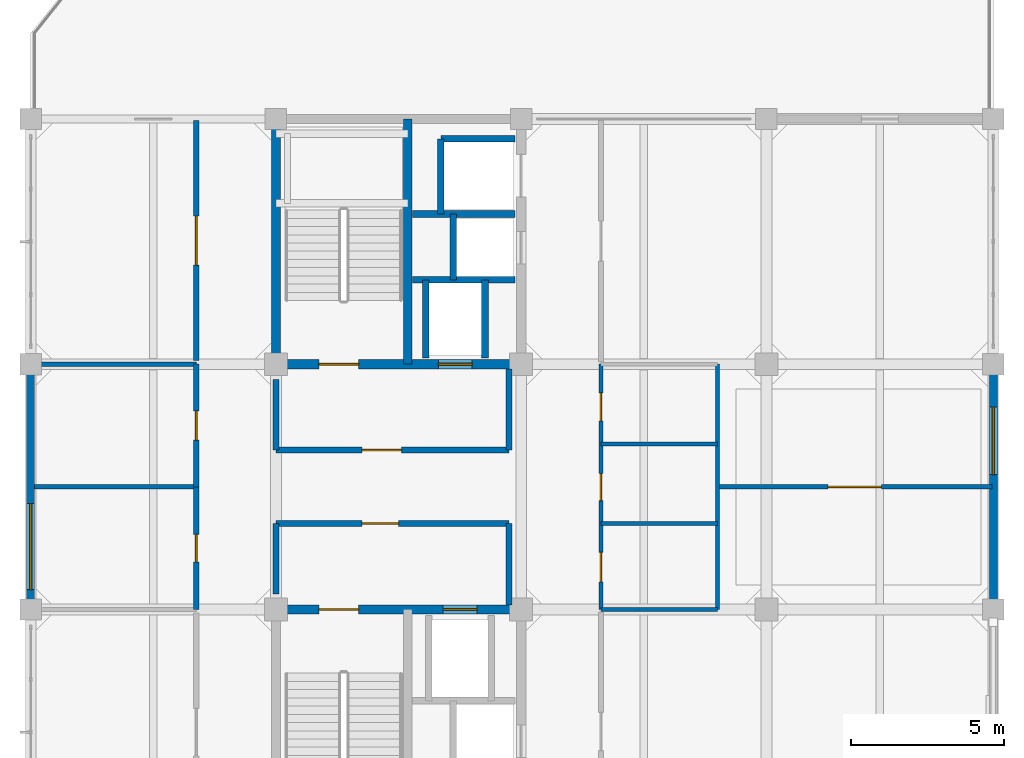
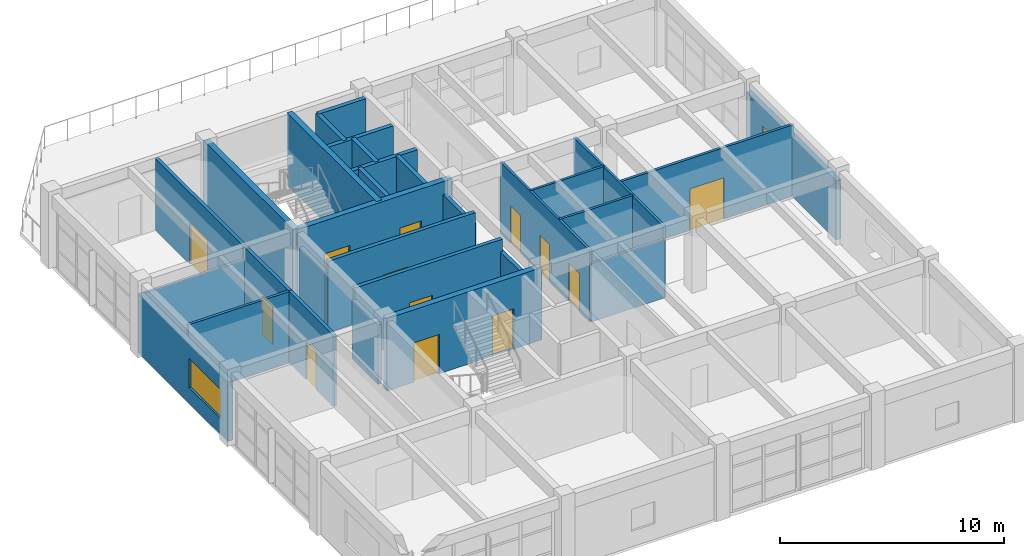
# One storey, part 15 of 19: 30 walls, 13 doors, 2 windows, 15 openings.
"""IFC4 building model written with IfcOpenShell, lengths in metres."""

from ifc_helpers import new_model, si_unit, direction, frame, frame_2d, origin, place, context, subcontext, project, spatial, rectangle, extrude, material, layer, layer_set, type_object, element, fill, save


model = new_model("IFC4")

# Units and contexts
model_context = context("Model", 3, precision=1e-05, world=origin(), true_north=direction((0.0, 1.0)))
body_context = subcontext(model_context, "Body", "Model", "MODEL_VIEW")
ifc_project = project(units=[si_unit("LENGTHUNIT", "METRE"), si_unit("AREAUNIT", "SQUARE_METRE"), si_unit("VOLUMEUNIT", "CUBIC_METRE"), si_unit("PLANEANGLEUNIT", "RADIAN"), si_unit("MASSUNIT", "GRAM", prefix="KILO")], contexts=[model_context])

# Site, building, storey
site_placement = place(None, origin())
site = spatial("IfcSite", under=ifc_project, at=site_placement, CompositionType="ELEMENT")
building_placement = place(site_placement, origin())
building = spatial("IfcBuilding", under=site, at=building_placement, Name="Canggui Botanical Conservatory", CompositionType="ELEMENT")
storey_placement = place(building_placement, frame((0.0, 0.0, 48.60009765625)))
storey = spatial("IfcBuildingStorey", under=building, at=storey_placement, Name="L12", CompositionType="ELEMENT", Elevation=48.60009765625)

# Wall, opening, window
ifc_material_1 = material(Name="Precast Concrete C40", Category="concrete")
ifc_layer_1 = layer(ifc_material_1, 0.260009765625, Name="Precast Concrete C40", Category="concrete")
ifc_layer_set_1 = layer_set([ifc_layer_1], Name="Precast Concrete C40")
wall_type_1 = type_object("IfcWallType", Name="EW-260", PredefinedType="STANDARD", material=ifc_layer_set_1)
wall_1_placement = place(storey_placement, frame((146.0, 50.0, 0.0), z_axis=(0.0, 0.0, 1.0), x_axis=(0.0, 1.0, 0.0)))
wall_1 = element("IfcWall", 1, at=wall_1_placement, inside=storey, type_object=wall_type_1, Name="Tower Insulated Exterior Wall L12-W7", PredefinedType="STANDARD", context=body_context, shape_type="SweptSolid", body=[
    extrude(rectangle(XDim=8.0, YDim=0.260009765625, at=frame_2d((4.0, 0.0))), origin(), (0.0, 0.0, 1.0), 3.239990234375),
])
opening_1_placement = place(wall_1_placement, frame((0.64990234375, 0.0, 0.85009765625)))
opening_1 = element("IfcOpeningElement", 2, at=opening_1_placement, cuts=wall_1, Name="Opening W-08", PredefinedType="OPENING", context=body_context, shape_type="SweptSolid", body=[
    extrude(rectangle(XDim=2.800048828125, YDim=1.60009765625, at=frame_2d((1.39990234375, 0.800048828125))), frame((0.0, 0.14013671875, 0.0), z_axis=(0.0, -1.0, 0.0), x_axis=(1.0, 0.0, 0.0)), (0.0, 0.0, 1.0), 0.280029296875),
])
ifc_material_2 = material(Name="Low-E Insulated Glass", Category="glass")
window_type_1 = type_object("IfcWindowType", Name="WIN-08", PartitioningType="TRIPLE_PANEL_VERTICAL", PredefinedType="WINDOW", material=ifc_material_2)
window_1_placement = place(opening_1_placement, origin())
window_1 = element("IfcWindow", 3, at=window_1_placement, inside=storey, type_object=window_type_1, Name="Tower Window L12-7", OverallHeight=1.60009765625, OverallWidth=2.800048828125, PartitioningType="SINGLE_PANEL", PredefinedType="WINDOW", context=body_context, shape_type="SweptSolid", body=[
    extrude(rectangle(XDim=2.800048828125, YDim=1.60009765625, at=frame_2d((1.39990234375, 0.800048828125))), frame((0.0, 0.030029296875, 0.0), z_axis=(0.0, -1.0, 0.0), x_axis=(1.0, 0.0, 0.0)), (0.0, 0.0, 1.0), 0.06005859375),
])
fill(opening_1, window_1)

wall_2_placement = place(storey_placement, frame((177.39990234375, 58.0, 0.0), z_axis=(0.0, 0.0, 1.0), x_axis=(0.0, -1.0, 0.0)))
wall_2 = element("IfcWall", 4, at=wall_2_placement, inside=storey, type_object=wall_type_1, Name="Tower Insulated Exterior Wall L12-E13", PredefinedType="STANDARD", context=body_context, shape_type="SweptSolid", body=[
    extrude(rectangle(XDim=8.0, YDim=0.260009765625, at=frame_2d((4.0, 0.0))), origin(), (0.0, 0.0, 1.0), 3.239990234375),
])
opening_2_placement = place(wall_2_placement, frame((1.39990234375, 0.0, 0.85009765625)))
opening_2 = element("IfcOpeningElement", 5, at=opening_2_placement, cuts=wall_2, Name="Opening W-10", PredefinedType="OPENING", context=body_context, shape_type="SweptSolid", body=[
    extrude(rectangle(XDim=2.199951171875, YDim=1.39990234375, at=frame_2d((1.10009765625, 0.699951171875))), frame((0.0, 0.14013671875, 0.0), z_axis=(0.0, -1.0, 0.0), x_axis=(1.0, 0.0, 0.0)), (0.0, 0.0, 1.0), 0.280029296875),
])
window_type_2 = type_object("IfcWindowType", Name="WIN-10", PartitioningType="DOUBLE_PANEL_VERTICAL", PredefinedType="WINDOW", material=ifc_material_2)
window_2_placement = place(opening_2_placement, origin())
window_2 = element("IfcWindow", 6, at=window_2_placement, inside=storey, type_object=window_type_2, Name="Tower Window L12-13", OverallHeight=1.39990234375, OverallWidth=2.199951171875, PartitioningType="SINGLE_PANEL", PredefinedType="WINDOW", context=body_context, shape_type="SweptSolid", body=[
    extrude(rectangle(XDim=2.199951171875, YDim=1.39990234375, at=frame_2d((1.10009765625, 0.699951171875))), frame((0.0, 0.030029296875, 0.0), z_axis=(0.0, -1.0, 0.0), x_axis=(1.0, 0.0, 0.0)), (0.0, 0.0, 1.0), 0.06005859375),
])
fill(opening_2, window_2)

# Wall, opening, door
ifc_material_3 = material(Name="Gypsum Plasterboard Partition")
ifc_layer_2 = layer(ifc_material_3, 0.175048828125, Name="Gypsum Plasterboard Partition")
ifc_layer_set_2 = layer_set([ifc_layer_2], Name="Gypsum Plasterboard Partition")
wall_type_2 = type_object("IfcWallType", Name="IW-CORR-175", PredefinedType="STANDARD", material=ifc_layer_set_2)
wall_3_placement = place(storey_placement, frame((151.39990234375, 58.1201171875, 0.0), z_axis=(0.0, 0.0, 1.0), x_axis=(0.0, 1.0, 0.0)))
wall_3 = element("IfcWall", 7, at=wall_3_placement, inside=storey, type_object=wall_type_2, Name="L12 Laminar Flow Transfer Airlock Corridor Wall", PredefinedType="STANDARD", context=body_context, shape_type="SweptSolid", body=[
    extrude(rectangle(XDim=7.829833984375, YDim=0.175048828125, at=frame_2d((3.9150390625, 0.0))), origin(), (0.0, 0.0, 1.0), 3.89990234375),
])
opening_3_placement = place(wall_3_placement, frame((3.114990234375, 0.0, 0.0)))
opening_3 = element("IfcOpeningElement", 8, at=opening_3_placement, cuts=wall_3, Name="Opening FD-15", PredefinedType="OPENING", context=body_context, shape_type="SweptSolid", body=[
    extrude(rectangle(XDim=1.60009765625, YDim=2.25, at=frame_2d((0.800048828125, 1.125))), frame((0.0, 0.09765625, 0.0), z_axis=(0.0, -1.0, 0.0), x_axis=(1.0, 0.0, 0.0)), (0.0, 0.0, 1.0), 0.195068359375),
])
ifc_material_4 = material(Name="Powder-Coated Steel", Category="steel")
door_type_1 = type_object("IfcDoorType", Name="FD-15", OperationType="NOTDEFINED", PredefinedType="DOOR", material=ifc_material_4)
door_1_placement = place(opening_3_placement, origin())
door_1 = element("IfcDoor", 9, at=door_1_placement, inside=storey, type_object=door_type_1, Name="L12 Laminar Flow Transfer Airlock Entrance Door", OperationType="DOUBLE_DOOR_SINGLE_SWING", OverallHeight=2.25, OverallWidth=1.60009765625, PredefinedType="DOOR", context=body_context, shape_type="SweptSolid", body=[
    extrude(rectangle(XDim=1.60009765625, YDim=2.25, at=frame_2d((0.800048828125, 1.125))), frame((0.0, 0.02490234375, 0.0), z_axis=(0.0, -1.0, 0.0), x_axis=(1.0, 0.0, 0.0)), (0.0, 0.0, 1.0), 0.050048828125),
])
fill(opening_3, door_1)

wall_4_placement = place(storey_placement, frame((151.39990234375, 50.0, 0.0), z_axis=(0.0, 0.0, 1.0), x_axis=(0.0, 1.0, 0.0)))
wall_4 = element("IfcWall", 10, at=wall_4_placement, inside=storey, type_object=wall_type_2, Name="L12 Cleaners' Store Wall", PredefinedType="STANDARD", context=body_context, shape_type="SweptSolid", body=[
    extrude(rectangle(XDim=4.0, YDim=0.175048828125, at=frame_2d((2.0, 0.0))), origin(), (0.0, 0.0, 1.0), 3.89990234375),
])
opening_4_placement = place(wall_4_placement, frame((1.550048828125, 0.0, 0.0)))
opening_4 = element("IfcOpeningElement", 11, at=opening_4_placement, cuts=wall_4, Name="Opening FD-01", PredefinedType="OPENING", context=body_context, shape_type="SweptSolid", body=[
    extrude(rectangle(XDim=0.89990234375, YDim=2.10009765625, at=frame_2d((0.449951171875, 1.050048828125))), frame((0.0, 0.09765625, 0.0), z_axis=(0.0, -1.0, 0.0), x_axis=(1.0, 0.0, 0.0)), (0.0, 0.0, 1.0), 0.195068359375),
])
door_type_2 = type_object("IfcDoorType", Name="FD-01", OperationType="NOTDEFINED", PredefinedType="DOOR", material=ifc_material_4)
door_2_placement = place(opening_4_placement, origin())
door_2 = element("IfcDoor", 12, at=door_2_placement, inside=storey, type_object=door_type_2, Name="Interior Door IW-L12-STRW1", OperationType="SINGLE_SWING_LEFT", OverallHeight=2.10009765625, OverallWidth=0.89990234375, PredefinedType="DOOR", context=body_context, shape_type="SweptSolid", body=[
    extrude(rectangle(XDim=0.89990234375, YDim=2.10009765625, at=frame_2d((0.449951171875, 1.050048828125))), frame((0.0, 0.02490234375, 0.0), z_axis=(0.0, -1.0, 0.0), x_axis=(1.0, 0.0, 0.0)), (0.0, 0.0, 1.0), 0.050048828125),
])
fill(opening_4, door_2)

wall_5_placement = place(storey_placement, frame((151.39990234375, 54.0, 0.0), z_axis=(0.0, 0.0, 1.0), x_axis=(0.0, 1.0, 0.0)))
wall_5 = element("IfcWall", 13, at=wall_5_placement, inside=storey, type_object=wall_type_2, Name="L12 Consumables Store Wall", PredefinedType="STANDARD", context=body_context, shape_type="SweptSolid", body=[
    extrude(rectangle(XDim=4.0, YDim=0.175048828125, at=frame_2d((2.0, 0.0))), origin(), (0.0, 0.0, 1.0), 3.89990234375),
])
opening_5_placement = place(wall_5_placement, frame((1.52490234375, 0.0, 0.0)))
opening_5 = element("IfcOpeningElement", 14, at=opening_5_placement, cuts=wall_5, Name="Opening FD-02", PredefinedType="OPENING", context=body_context, shape_type="SweptSolid", body=[
    extrude(rectangle(XDim=0.949951171875, YDim=2.10009765625, at=frame_2d((0.47509765625, 1.050048828125))), frame((0.0, 0.09765625, 0.0), z_axis=(0.0, -1.0, 0.0), x_axis=(1.0, 0.0, 0.0)), (0.0, 0.0, 1.0), 0.195068359375),
])
door_type_3 = type_object("IfcDoorType", Name="FD-02", OperationType="NOTDEFINED", PredefinedType="DOOR", material=ifc_material_4)
door_3_placement = place(opening_5_placement, origin())
door_3 = element("IfcDoor", 15, at=door_3_placement, inside=storey, type_object=door_type_3, Name="Interior Door IW-L12-STRW2", OperationType="SINGLE_SWING_RIGHT", OverallHeight=2.10009765625, OverallWidth=0.949951171875, PredefinedType="DOOR", context=body_context, shape_type="SweptSolid", body=[
    extrude(rectangle(XDim=0.949951171875, YDim=2.10009765625, at=frame_2d((0.47509765625, 1.050048828125))), frame((0.0, 0.02490234375, 0.0), z_axis=(0.0, -1.0, 0.0), x_axis=(1.0, 0.0, 0.0)), (0.0, 0.0, 1.0), 0.050048828125),
])
fill(opening_5, door_3)

ifc_material_5 = material(Name="Concrete C35", Category="concrete")
ifc_layer_3 = layer(ifc_material_5, 0.195068359375, Name="Concrete C35", Category="concrete")
ifc_layer_set_3 = layer_set([ifc_layer_3], Name="Concrete C35")
wall_type_3 = type_object("IfcWallType", Name="IW-LOBBY-195", PredefinedType="STANDARD", material=ifc_layer_set_3)
wall_6_placement = place(storey_placement, frame((154.0, 52.800048828125, 0.0), z_axis=(0.0, 0.0, 1.0), x_axis=(1.0, 0.0, 0.0)))
wall_6 = element("IfcWall", 16, at=wall_6_placement, inside=storey, type_object=wall_type_3, Name="L12 South Firefighting Lift Lobby North Wall", PredefinedType="STANDARD", context=body_context, shape_type="SweptSolid", body=[
    extrude(rectangle(XDim=7.60009765625, YDim=0.195068359375, at=frame_2d((3.800048828125, 0.0))), origin(), (0.0, 0.0, 1.0), 3.89990234375),
])
opening_6_placement = place(wall_6_placement, frame((2.800048828125, 0.0, 0.0)))
opening_6 = element("IfcOpeningElement", 17, at=opening_6_placement, cuts=wall_6, Name="Opening FD-07", PredefinedType="OPENING", context=body_context, shape_type="SweptSolid", body=[
    extrude(rectangle(XDim=1.199951171875, YDim=2.10009765625, at=frame_2d((0.60009765625, 1.050048828125))), frame((0.0, 0.107421875, 0.0), z_axis=(0.0, -1.0, 0.0), x_axis=(1.0, 0.0, 0.0)), (0.0, 0.0, 1.0), 0.215087890625),
])
door_type_4 = type_object("IfcDoorType", Name="FD-07", OperationType="NOTDEFINED", PredefinedType="DOOR", material=ifc_material_4)
door_4_placement = place(opening_6_placement, origin())
door_4 = element("IfcDoor", 18, at=door_4_placement, inside=storey, type_object=door_type_4, Name="L12 South Firefighting Lobby Fire Door", OperationType="SINGLE_SWING_LEFT", OverallHeight=2.10009765625, OverallWidth=1.199951171875, PredefinedType="DOOR", context=body_context, shape_type="SweptSolid", body=[
    extrude(rectangle(XDim=1.199951171875, YDim=2.10009765625, at=frame_2d((0.60009765625, 1.050048828125))), frame((0.0, 0.02490234375, 0.0), z_axis=(0.0, -1.0, 0.0), x_axis=(1.0, 0.0, 0.0)), (0.0, 0.0, 1.0), 0.050048828125),
])
fill(opening_6, door_4)

# Walls
wall_7_placement = place(storey_placement, frame((161.60009765625, 50.14990234375, 0.0), z_axis=(0.0, 0.0, 1.0), x_axis=(0.0, 1.0, 0.0)))
element("IfcWall", 19, at=wall_7_placement, inside=storey, type_object=wall_type_3, Name="L12 South Firefighting Lift Lobby East Wall", PredefinedType="STANDARD", context=body_context, shape_type="SweptSolid", body=[
    extrude(rectangle(XDim=2.650146484375, YDim=0.195068359375, at=frame_2d((1.3251953125, 0.0))), origin(), (0.0, 0.0, 1.0), 3.239990234375),
])
wall_8_placement = place(storey_placement, frame((154.0, 50.5, 0.0), z_axis=(0.0, 0.0, 1.0), x_axis=(0.0, 1.0, 0.0)))
element("IfcWall", 20, at=wall_8_placement, inside=storey, type_object=wall_type_3, Name="L12 South Firefighting Lift Lobby West Wall", PredefinedType="STANDARD", context=body_context, shape_type="SweptSolid", body=[
    extrude(rectangle(XDim=2.300048828125, YDim=0.195068359375, at=frame_2d((1.14990234375, 0.0))), origin(), (0.0, 0.0, 1.0), 3.239990234375),
])

# Wall, opening, door
wall_9_placement = place(storey_placement, frame((154.0, 55.199951171875, 0.0), z_axis=(0.0, 0.0, 1.0), x_axis=(1.0, 0.0, 0.0)))
wall_9 = element("IfcWall", 21, at=wall_9_placement, inside=storey, type_object=wall_type_3, Name="L12 North Firefighting Lift Lobby South Wall", PredefinedType="STANDARD", context=body_context, shape_type="SweptSolid", body=[
    extrude(rectangle(XDim=7.60009765625, YDim=0.195068359375, at=frame_2d((3.800048828125, 0.0))), origin(), (0.0, 0.0, 1.0), 3.89990234375),
])
opening_7_placement = place(wall_9_placement, frame((2.800048828125, 0.0, 0.0)))
opening_7 = element("IfcOpeningElement", 22, at=opening_7_placement, cuts=wall_9, Name="Opening FD-09", PredefinedType="OPENING", context=body_context, shape_type="SweptSolid", body=[
    extrude(rectangle(XDim=1.300048828125, YDim=2.14990234375, at=frame_2d((0.64990234375, 1.074951171875))), frame((0.0, 0.107421875, 0.0), z_axis=(0.0, -1.0, 0.0), x_axis=(1.0, 0.0, 0.0)), (0.0, 0.0, 1.0), 0.215087890625),
])
door_type_5 = type_object("IfcDoorType", Name="FD-09", OperationType="NOTDEFINED", PredefinedType="DOOR", material=ifc_material_4)
door_5_placement = place(opening_7_placement, origin())
door_5 = element("IfcDoor", 23, at=door_5_placement, inside=storey, type_object=door_type_5, Name="L12 North Firefighting Lobby Fire Door", OperationType="SINGLE_SWING_RIGHT", OverallHeight=2.14990234375, OverallWidth=1.300048828125, PredefinedType="DOOR", context=body_context, shape_type="SweptSolid", body=[
    extrude(rectangle(XDim=1.300048828125, YDim=2.14990234375, at=frame_2d((0.64990234375, 1.074951171875))), frame((0.0, 0.02490234375, 0.0), z_axis=(0.0, -1.0, 0.0), x_axis=(1.0, 0.0, 0.0)), (0.0, 0.0, 1.0), 0.050048828125),
])
fill(opening_7, door_5)

# Walls
wall_10_placement = place(storey_placement, frame((161.60009765625, 55.199951171875, 0.0), z_axis=(0.0, 0.0, 1.0), x_axis=(0.0, 1.0, 0.0)))
element("IfcWall", 24, at=wall_10_placement, inside=storey, type_object=wall_type_3, Name="L12 North Firefighting Lift Lobby East Wall", PredefinedType="STANDARD", context=body_context, shape_type="SweptSolid", body=[
    extrude(rectangle(XDim=2.650146484375, YDim=0.195068359375, at=frame_2d((1.3251953125, 0.0))), origin(), (0.0, 0.0, 1.0), 3.239990234375),
])
wall_11_placement = place(storey_placement, frame((154.0, 55.199951171875, 0.0), z_axis=(0.0, 0.0, 1.0), x_axis=(0.0, 1.0, 0.0)))
element("IfcWall", 25, at=wall_11_placement, inside=storey, type_object=wall_type_3, Name="L12 North Firefighting Lift Lobby West Wall", PredefinedType="STANDARD", context=body_context, shape_type="SweptSolid", body=[
    extrude(rectangle(XDim=2.300048828125, YDim=0.195068359375, at=frame_2d((1.14990234375, 0.0))), origin(), (0.0, 0.0, 1.0), 3.239990234375),
])
ifc_layer_4 = layer(ifc_material_3, 0.139892578125, Name="Gypsum Plasterboard Partition")
ifc_layer_set_4 = layer_set([ifc_layer_4], Name="Gypsum Plasterboard Partition")
wall_type_4 = type_object("IfcWallType", Name="IW-PART-140", PredefinedType="STANDARD", material=ifc_layer_set_4)
wall_12_placement = place(storey_placement, frame((146.1201171875, 54.0, 0.0), z_axis=(0.0, 0.0, 1.0), x_axis=(1.0, 0.0, 0.0)))
element("IfcWall", 26, at=wall_12_placement, inside=storey, type_object=wall_type_4, Name="L12 Store Cross Wall", PredefinedType="STANDARD", context=body_context, shape_type="SweptSolid", body=[
    extrude(rectangle(XDim=5.27978515625, YDim=0.139892578125, at=frame_2d((2.639892578125, 0.0))), origin(), (0.0, 0.0, 1.0), 3.89990234375),
])
wall_13_placement = place(storey_placement, frame((146.1201171875, 58.0, 0.0), z_axis=(0.0, 0.0, 1.0), x_axis=(1.0, 0.0, 0.0)))
element("IfcWall", 27, at=wall_13_placement, inside=storey, type_object=wall_type_4, Name="L12 Store North Cross Wall", PredefinedType="STANDARD", context=body_context, shape_type="SweptSolid", body=[
    extrude(rectangle(XDim=5.27978515625, YDim=0.139892578125, at=frame_2d((2.639892578125, 0.0))), origin(), (0.0, 0.0, 1.0), 3.18994140625),
])

# Wall, opening, door
wall_14_placement = place(storey_placement, frame((168.39990234375, 54.0, 0.0), z_axis=(0.0, 0.0, 1.0), x_axis=(1.0, 0.0, 0.0)))
wall_14 = element("IfcWall", 28, at=wall_14_placement, inside=storey, type_object=wall_type_4, Name="L12 Plant Tissue Culture Cleanroom Subdivision Wall", PredefinedType="STANDARD", context=body_context, shape_type="SweptSolid", body=[
    extrude(rectangle(XDim=8.960205078125, YDim=0.139892578125, at=frame_2d((4.47998046875, 0.0))), origin(), (0.0, 0.0, 1.0), 3.89990234375),
])
opening_8_placement = place(wall_14_placement, frame((3.610107421875, 0.0, 0.0)))
opening_8 = element("IfcOpeningElement", 29, at=opening_8_placement, cuts=wall_14, Name="Opening ID-16", PredefinedType="OPENING", context=body_context, shape_type="SweptSolid", body=[
    extrude(rectangle(XDim=1.739990234375, YDim=2.260009765625, at=frame_2d((0.8701171875, 1.1298828125))), frame((0.0, 0.080078125, 0.0), z_axis=(0.0, -1.0, 0.0), x_axis=(1.0, 0.0, 0.0)), (0.0, 0.0, 1.0), 0.159912109375),
])
ifc_material_6 = material(Name="Engineered Timber Veneer", Category="wood")
door_type_6 = type_object("IfcDoorType", Name="ID-16", OperationType="NOTDEFINED", PredefinedType="DOOR", material=ifc_material_6)
door_6_placement = place(opening_8_placement, origin())
door_6 = element("IfcDoor", 30, at=door_6_placement, inside=storey, type_object=door_type_6, Name="Interior Door IW-L12-EDIV-1", OperationType="DOUBLE_DOOR_SINGLE_SWING", OverallHeight=2.260009765625, OverallWidth=1.739990234375, PredefinedType="DOOR", context=body_context, shape_type="SweptSolid", body=[
    extrude(rectangle(XDim=1.739990234375, YDim=2.260009765625, at=frame_2d((0.8701171875, 1.1298828125))), frame((0.0, 0.02490234375, 0.0), z_axis=(0.0, -1.0, 0.0), x_axis=(1.0, 0.0, 0.0)), (0.0, 0.0, 1.0), 0.050048828125),
])
fill(opening_8, door_6)

# Walls
ifc_layer_5 = layer(ifc_material_5, 0.215087890625, Name="Concrete C35", Category="concrete")
ifc_layer_set_5 = layer_set([ifc_layer_5], Name="Concrete C35")
wall_type_5 = type_object("IfcWallType", Name="IW-SHAFT-215", PredefinedType="STANDARD", material=ifc_layer_set_5)
wall_15_placement = place(storey_placement, frame((158.449951171875, 62.89990234375, 0.0), z_axis=(0.0, 0.0, 1.0), x_axis=(1.0, 0.0, 0.0)))
element("IfcWall", 31, at=wall_15_placement, inside=storey, type_object=wall_type_5, Name="Core T2 Goods Lift Shaft Divider L12", PredefinedType="STANDARD", context=body_context, shape_type="SweptSolid", body=[
    extrude(rectangle(XDim=3.35009765625, YDim=0.215087890625, at=frame_2d((1.675048828125, 0.0))), origin(), (0.0, 0.0, 1.0), 3.89990234375),
])
wall_16_placement = place(storey_placement, frame((160.820068359375, 58.199951171875, 0.0), z_axis=(0.0, 0.0, 1.0), x_axis=(0.0, 1.0, 0.0)))
element("IfcWall", 32, at=wall_16_placement, inside=storey, type_object=wall_type_5, Name="Core T2 Lift Bank Web L12", PredefinedType="STANDARD", context=body_context, shape_type="SweptSolid", body=[
    extrude(rectangle(XDim=2.550048828125, YDim=0.215087890625, at=frame_2d((1.27490234375, 0.0))), origin(), (0.0, 0.0, 1.0), 3.89990234375),
])
wall_17_placement = place(storey_placement, frame((159.3798828125, 62.89990234375, 0.0), z_axis=(0.0, 0.0, 1.0), x_axis=(0.0, 1.0, 0.0)))
element("IfcWall", 33, at=wall_17_placement, inside=storey, type_object=wall_type_5, Name="Core T2 GL-01 West Shaft Wall L12", PredefinedType="STANDARD", context=body_context, shape_type="SweptSolid", body=[
    extrude(rectangle(XDim=2.4501953125, YDim=0.215087890625, at=frame_2d((1.22509765625, 0.0))), origin(), (0.0, 0.0, 1.0), 3.89990234375),
])
wall_18_placement = place(storey_placement, frame((159.3798828125, 65.35009765625, 0.0), z_axis=(0.0, 0.0, 1.0), x_axis=(1.0, 0.0, 0.0)))
element("IfcWall", 34, at=wall_18_placement, inside=storey, type_object=wall_type_5, Name="Core T2 GL-01 North Shaft Wall L12", PredefinedType="STANDARD", context=body_context, shape_type="SweptSolid", body=[
    extrude(rectangle(XDim=2.420166015625, YDim=0.215087890625, at=frame_2d((1.2099609375, 0.0))), origin(), (0.0, 0.0, 1.0), 3.89990234375),
])
wall_19_placement = place(storey_placement, frame((158.449951171875, 60.75, 0.0), z_axis=(0.0, 0.0, 1.0), x_axis=(1.0, 0.0, 0.0)))
element("IfcWall", 35, at=wall_19_placement, inside=storey, type_object=wall_type_5, Name="Core T2 PL-02 South Shaft Wall L12", PredefinedType="STANDARD", context=body_context, shape_type="SweptSolid", body=[
    extrude(rectangle(XDim=3.35009765625, YDim=0.215087890625, at=frame_2d((1.675048828125, 0.0))), origin(), (0.0, 0.0, 1.0), 3.89990234375),
])
wall_20_placement = place(storey_placement, frame((159.780029296875, 60.75, 0.0), z_axis=(0.0, 0.0, 1.0), x_axis=(0.0, 1.0, 0.0)))
element("IfcWall", 36, at=wall_20_placement, inside=storey, type_object=wall_type_5, Name="Core T2 PL-02 West Shaft Wall L12", PredefinedType="STANDARD", context=body_context, shape_type="SweptSolid", body=[
    extrude(rectangle(XDim=2.14990234375, YDim=0.215087890625, at=frame_2d((1.074951171875, 0.0))), origin(), (0.0, 0.0, 1.0), 3.89990234375),
])
wall_21_placement = place(storey_placement, frame((158.8798828125, 58.199951171875, 0.0), z_axis=(0.0, 0.0, 1.0), x_axis=(0.0, 1.0, 0.0)))
element("IfcWall", 37, at=wall_21_placement, inside=storey, type_object=wall_type_5, Name="Core T2 FL-02 West Shaft Wall L12", PredefinedType="STANDARD", context=body_context, shape_type="SweptSolid", body=[
    extrude(rectangle(XDim=2.550048828125, YDim=0.215087890625, at=frame_2d((1.27490234375, 0.0))), origin(), (0.0, 0.0, 1.0), 3.89990234375),
])

# Wall, openings, doors
ifc_layer_6 = layer(ifc_material_3, 0.125, Name="Gypsum Plasterboard Partition")
ifc_layer_set_6 = layer_set([ifc_layer_6], Name="Gypsum Plasterboard Partition")
wall_type_6 = type_object("IfcWallType", Name="IW-WC-125", PredefinedType="STANDARD", material=ifc_layer_set_6)
wall_22_placement = place(storey_placement, frame((164.60009765625, 50.0, 0.0), z_axis=(0.0, 0.0, 1.0), x_axis=(0.0, 1.0, 0.0)))
wall_22 = element("IfcWall", 38, at=wall_22_placement, inside=storey, type_object=wall_type_6, Name="L12 Restroom Block Corridor Wall", PredefinedType="STANDARD", context=body_context, shape_type="SweptSolid", body=[
    extrude(rectangle(XDim=8.0, YDim=0.125, at=frame_2d((4.0, 0.0))), origin(), (0.0, 0.0, 1.0), 3.89990234375),
])
opening_9_placement = place(wall_22_placement, frame((0.89990234375, 0.0, 0.0)))
opening_9 = element("IfcOpeningElement", 39, at=opening_9_placement, cuts=wall_22, Name="Opening ID-03", PredefinedType="OPENING", context=body_context, shape_type="SweptSolid", body=[
    extrude(rectangle(XDim=0.9599609375, YDim=2.080078125, at=frame_2d((0.47998046875, 1.0400390625))), frame((0.0, 0.072509765625, 0.0), z_axis=(0.0, -1.0, 0.0), x_axis=(1.0, 0.0, 0.0)), (0.0, 0.0, 1.0), 0.14501953125),
])
opening_10_placement = place(wall_22_placement, frame((3.550048828125, 0.0, 0.0)))
opening_10 = element("IfcOpeningElement", 40, at=opening_10_placement, cuts=wall_22, Name="Opening ID-01", PredefinedType="OPENING", context=body_context, shape_type="SweptSolid", body=[
    extrude(rectangle(XDim=0.8798828125, YDim=2.050048828125, at=frame_2d((0.43994140625, 1.02490234375))), frame((0.0, 0.072509765625, 0.0), z_axis=(0.0, -1.0, 0.0), x_axis=(1.0, 0.0, 0.0)), (0.0, 0.0, 1.0), 0.14501953125),
])
opening_11_placement = place(wall_22_placement, frame((6.14990234375, 0.0, 0.0)))
opening_11 = element("IfcOpeningElement", 41, at=opening_11_placement, cuts=wall_22, Name="Opening ID-02", PredefinedType="OPENING", context=body_context, shape_type="SweptSolid", body=[
    extrude(rectangle(XDim=0.919921875, YDim=2.050048828125, at=frame_2d((0.4599609375, 1.02490234375))), frame((0.0, 0.072509765625, 0.0), z_axis=(0.0, -1.0, 0.0), x_axis=(1.0, 0.0, 0.0)), (0.0, 0.0, 1.0), 0.14501953125),
])
door_type_7 = type_object("IfcDoorType", Name="ID-01", OperationType="NOTDEFINED", PredefinedType="DOOR", material=ifc_material_6)
door_7_placement = place(opening_10_placement, origin())
door_7 = element("IfcDoor", 42, at=door_7_placement, inside=storey, type_object=door_type_7, Name="L12 Male WC Door", OperationType="SINGLE_SWING_RIGHT", OverallHeight=2.050048828125, OverallWidth=0.8798828125, PredefinedType="DOOR", context=body_context, shape_type="SweptSolid", body=[
    extrude(rectangle(XDim=0.8798828125, YDim=2.050048828125, at=frame_2d((0.43994140625, 1.02490234375))), frame((0.0, 0.02490234375, 0.0), z_axis=(0.0, -1.0, 0.0), x_axis=(1.0, 0.0, 0.0)), (0.0, 0.0, 1.0), 0.050048828125),
])
fill(opening_10, door_7)
door_type_8 = type_object("IfcDoorType", Name="ID-02", OperationType="NOTDEFINED", PredefinedType="DOOR", material=ifc_material_6)
door_8_placement = place(opening_11_placement, origin())
door_8 = element("IfcDoor", 43, at=door_8_placement, inside=storey, type_object=door_type_8, Name="L12 Female WC Door", OperationType="SINGLE_SWING_LEFT", OverallHeight=2.050048828125, OverallWidth=0.919921875, PredefinedType="DOOR", context=body_context, shape_type="SweptSolid", body=[
    extrude(rectangle(XDim=0.919921875, YDim=2.050048828125, at=frame_2d((0.4599609375, 1.02490234375))), frame((0.0, 0.02490234375, 0.0), z_axis=(0.0, -1.0, 0.0), x_axis=(1.0, 0.0, 0.0)), (0.0, 0.0, 1.0), 0.050048828125),
])
fill(opening_11, door_8)
door_type_9 = type_object("IfcDoorType", Name="ID-03", OperationType="NOTDEFINED", PredefinedType="DOOR", material=ifc_material_6)
door_9_placement = place(opening_9_placement, origin())
door_9 = element("IfcDoor", 44, at=door_9_placement, inside=storey, type_object=door_type_9, Name="L12 Accessible WC Door", OperationType="SINGLE_SWING_LEFT", OverallHeight=2.080078125, OverallWidth=0.9599609375, PredefinedType="DOOR", context=body_context, shape_type="SweptSolid", body=[
    extrude(rectangle(XDim=0.9599609375, YDim=2.080078125, at=frame_2d((0.47998046875, 1.0400390625))), frame((0.0, 0.02490234375, 0.0), z_axis=(0.0, -1.0, 0.0), x_axis=(1.0, 0.0, 0.0)), (0.0, 0.0, 1.0), 0.050048828125),
])
fill(opening_9, door_9)

# Walls
wall_23_placement = place(storey_placement, frame((168.39990234375, 50.0, 0.0), z_axis=(0.0, 0.0, 1.0), x_axis=(0.0, 1.0, 0.0)))
element("IfcWall", 45, at=wall_23_placement, inside=storey, type_object=wall_type_6, Name="L12 Restroom Block Back Wall", PredefinedType="STANDARD", context=body_context, shape_type="SweptSolid", body=[
    extrude(rectangle(XDim=8.0, YDim=0.125, at=frame_2d((4.0, 0.0))), origin(), (0.0, 0.0, 1.0), 3.89990234375),
])
wall_24_placement = place(storey_placement, frame((164.60009765625, 50.0, 0.0), z_axis=(0.0, 0.0, 1.0), x_axis=(1.0, 0.0, 0.0)))
element("IfcWall", 46, at=wall_24_placement, inside=storey, type_object=wall_type_6, Name="L12 Restroom Divider Y50.0", PredefinedType="STANDARD", context=body_context, shape_type="SweptSolid", body=[
    extrude(rectangle(XDim=3.7998046875, YDim=0.125, at=frame_2d((1.89990234375, 0.0))), origin(), (0.0, 0.0, 1.0), 3.18994140625),
])
for number, where, z_axis, x_axis, name in (
    (47, (164.60009765625, 52.800048828125, 0.0), (0.0, 0.0, 1.0), (1.0, 0.0, 0.0), "L12 Restroom Divider Y52.8"),
    (48, (164.60009765625, 55.39990234375, 0.0), (0.0, 0.0, 1.0), (1.0, 0.0, 0.0), "L12 Restroom Divider Y55.4"),
):
    element("IfcWall", number, at=place(storey_placement, frame(where, z_axis=z_axis, x_axis=x_axis)), inside=storey, type_object=wall_type_6, Name=name, PredefinedType="STANDARD", context=body_context, shape_type="SweptSolid", body=[
        extrude(rectangle(XDim=3.7998046875, YDim=0.125, at=frame_2d((1.89990234375, 0.0))), origin(), (0.0, 0.0, 1.0), 3.89990234375),
    ])
ifc_layer_7 = layer(ifc_material_5, 0.280029296875, Name="Concrete C35", Category="concrete")
ifc_layer_set_7 = layer_set([ifc_layer_7], Name="Concrete C35")
wall_type_7 = type_object("IfcWallType", Name="WALL-SH-280-C35", PredefinedType="SHEAR", material=ifc_layer_set_7)
wall_25_placement = place(storey_placement, frame((158.300048828125, 58.0, 0.0), z_axis=(0.0, 0.0, 1.0), x_axis=(0.0, 1.0, 0.0)))
element("IfcWall", 49, at=wall_25_placement, inside=storey, type_object=wall_type_7, Name="Core T2 Internal Shear Web L12", PredefinedType="SHEAR", context=body_context, shape_type="SweptSolid", body=[
    extrude(rectangle(XDim=8.0, YDim=0.280029296875, at=frame_2d((4.0, 0.0))), origin(), (0.0, 0.0, 1.0), 3.949951171875),
])

# Wall, openings, doors
ifc_layer_8 = layer(ifc_material_5, 0.300048828125, Name="Concrete C35", Category="concrete")
ifc_layer_set_8 = layer_set([ifc_layer_8], Name="Concrete C35")
wall_type_8 = type_object("IfcWallType", Name="WALL-SH-300-C35", PredefinedType="SHEAR", material=ifc_layer_set_8)
wall_26_placement = place(storey_placement, frame((162.0, 50.0, 0.0), z_axis=(0.0, 0.0, 1.0), x_axis=(-1.0, 0.0, 0.0)))
wall_26 = element("IfcWall", 50, at=wall_26_placement, inside=storey, type_object=wall_type_8, Name="Core T1 Shear Wall L12-N", PredefinedType="SHEAR", context=body_context, shape_type="SweptSolid", body=[
    extrude(rectangle(XDim=8.0, YDim=0.300048828125, at=frame_2d((4.0, 0.0))), origin(), (0.0, 0.0, 1.0), 3.949951171875),
])
opening_12_placement = place(wall_26_placement, frame((5.300048828125, 0.0, 0.0)))
opening_12 = element("IfcOpeningElement", 51, at=opening_12_placement, cuts=wall_26, Name="Opening FD-09", PredefinedType="OPENING", context=body_context, shape_type="SweptSolid", body=[
    extrude(rectangle(XDim=1.300048828125, YDim=2.14990234375, at=frame_2d((0.64990234375, 1.074951171875))), frame((0.0, 0.16015625, 0.0), z_axis=(0.0, -1.0, 0.0), x_axis=(1.0, 0.0, 0.0)), (0.0, 0.0, 1.0), 0.320068359375),
])
opening_13_placement = place(wall_26_placement, frame((1.449951171875, 0.0, 0.0)))
opening_13 = element("IfcOpeningElement", 52, at=opening_13_placement, cuts=wall_26, Name="Opening LD-01", PredefinedType="OPENING", context=body_context, shape_type="SweptSolid", body=[
    extrude(rectangle(XDim=1.10009765625, YDim=2.199951171875, at=frame_2d((0.550048828125, 1.10009765625))), frame((0.0, 0.16015625, 0.0), z_axis=(0.0, -1.0, 0.0), x_axis=(1.0, 0.0, 0.0)), (0.0, 0.0, 1.0), 0.320068359375),
])
door_10_placement = place(opening_12_placement, origin())
door_10 = element("IfcDoor", 53, at=door_10_placement, inside=storey, type_object=door_type_5, Name="Tower South Smoke-Proof Stair Door L12", OperationType="SINGLE_SWING_LEFT", OverallHeight=2.14990234375, OverallWidth=1.300048828125, PredefinedType="DOOR", context=body_context, shape_type="SweptSolid", body=[
    extrude(rectangle(XDim=1.300048828125, YDim=2.14990234375, at=frame_2d((0.64990234375, 1.074951171875))), frame((0.0, 0.02490234375, 0.0), z_axis=(0.0, -1.0, 0.0), x_axis=(1.0, 0.0, 0.0)), (0.0, 0.0, 1.0), 0.050048828125),
])
fill(opening_12, door_10)
ifc_material_7 = material(Name="Stainless Steel 304", Category="steel")
door_type_10 = type_object("IfcDoorType", Name="LDR-01", OperationType="NOTDEFINED", PredefinedType="DOOR", material=ifc_material_7)
door_11_placement = place(opening_13_placement, origin())
door_11 = element("IfcDoor", 54, at=door_11_placement, inside=storey, type_object=door_type_10, Name="Firefighting Lift FL-01 Landing Door L12", OperationType="SLIDING_TO_LEFT", OverallHeight=2.199951171875, OverallWidth=1.10009765625, PredefinedType="DOOR", context=body_context, shape_type="SweptSolid", body=[
    extrude(rectangle(XDim=1.10009765625, YDim=2.199951171875, at=frame_2d((0.550048828125, 1.10009765625))), frame((0.0, 0.02490234375, 0.0), z_axis=(0.0, -1.0, 0.0), x_axis=(1.0, 0.0, 0.0)), (0.0, 0.0, 1.0), 0.050048828125),
])
fill(opening_13, door_11)

wall_27_placement = place(storey_placement, frame((154.0, 58.0, 0.0), z_axis=(0.0, 0.0, 1.0), x_axis=(1.0, 0.0, 0.0)))
wall_27 = element("IfcWall", 55, at=wall_27_placement, inside=storey, type_object=wall_type_8, Name="Core T2 Shear Wall L12-S", PredefinedType="SHEAR", context=body_context, shape_type="SweptSolid", body=[
    extrude(rectangle(XDim=8.0, YDim=0.300048828125, at=frame_2d((4.0, 0.0))), origin(), (0.0, 0.0, 1.0), 3.949951171875),
])
opening_14_placement = place(wall_27_placement, frame((1.39990234375, 0.0, 0.0)))
opening_14 = element("IfcOpeningElement", 56, at=opening_14_placement, cuts=wall_27, Name="Opening FD-09", PredefinedType="OPENING", context=body_context, shape_type="SweptSolid", body=[
    extrude(rectangle(XDim=1.300048828125, YDim=2.14990234375, at=frame_2d((0.64990234375, 1.074951171875))), frame((0.0, 0.16015625, 0.0), z_axis=(0.0, -1.0, 0.0), x_axis=(1.0, 0.0, 0.0)), (0.0, 0.0, 1.0), 0.320068359375),
])
opening_15_placement = place(wall_27_placement, frame((5.300048828125, 0.0, 0.0)))
opening_15 = element("IfcOpeningElement", 57, at=opening_15_placement, cuts=wall_27, Name="Opening LD-01", PredefinedType="OPENING", context=body_context, shape_type="SweptSolid", body=[
    extrude(rectangle(XDim=1.10009765625, YDim=2.199951171875, at=frame_2d((0.550048828125, 1.10009765625))), frame((0.0, 0.16015625, 0.0), z_axis=(0.0, -1.0, 0.0), x_axis=(1.0, 0.0, 0.0)), (0.0, 0.0, 1.0), 0.320068359375),
])
door_12_placement = place(opening_14_placement, origin())
door_12 = element("IfcDoor", 58, at=door_12_placement, inside=storey, type_object=door_type_5, Name="Tower North Smoke-Proof Stair Door L12", OperationType="SINGLE_SWING_RIGHT", OverallHeight=2.14990234375, OverallWidth=1.300048828125, PredefinedType="DOOR", context=body_context, shape_type="SweptSolid", body=[
    extrude(rectangle(XDim=1.300048828125, YDim=2.14990234375, at=frame_2d((0.64990234375, 1.074951171875))), frame((0.0, 0.02490234375, 0.0), z_axis=(0.0, -1.0, 0.0), x_axis=(1.0, 0.0, 0.0)), (0.0, 0.0, 1.0), 0.050048828125),
])
fill(opening_14, door_12)
door_13_placement = place(opening_15_placement, origin())
door_13 = element("IfcDoor", 59, at=door_13_placement, inside=storey, type_object=door_type_10, Name="Firefighting Lift FL-02 Landing Door L12", OperationType="SLIDING_TO_RIGHT", OverallHeight=2.199951171875, OverallWidth=1.10009765625, PredefinedType="DOOR", context=body_context, shape_type="SweptSolid", body=[
    extrude(rectangle(XDim=1.10009765625, YDim=2.199951171875, at=frame_2d((0.550048828125, 1.10009765625))), frame((0.0, 0.02490234375, 0.0), z_axis=(0.0, -1.0, 0.0), x_axis=(1.0, 0.0, 0.0)), (0.0, 0.0, 1.0), 0.050048828125),
])
fill(opening_15, door_13)

# Wall
wall_28_placement = place(storey_placement, frame((154.0, 66.0, 0.0), z_axis=(0.0, 0.0, 1.0), x_axis=(0.0, -1.0, 0.0)))
element("IfcWall", 60, at=wall_28_placement, inside=storey, type_object=wall_type_8, Name="Core T2 Shear Wall L12-W", PredefinedType="SHEAR", context=body_context, shape_type="SweptSolid", body=[
    extrude(rectangle(XDim=8.0, YDim=0.300048828125, at=frame_2d((4.0, 0.0))), origin(), (0.0, 0.0, 1.0), 3.949951171875),
])

save(model, "model.ifc")
